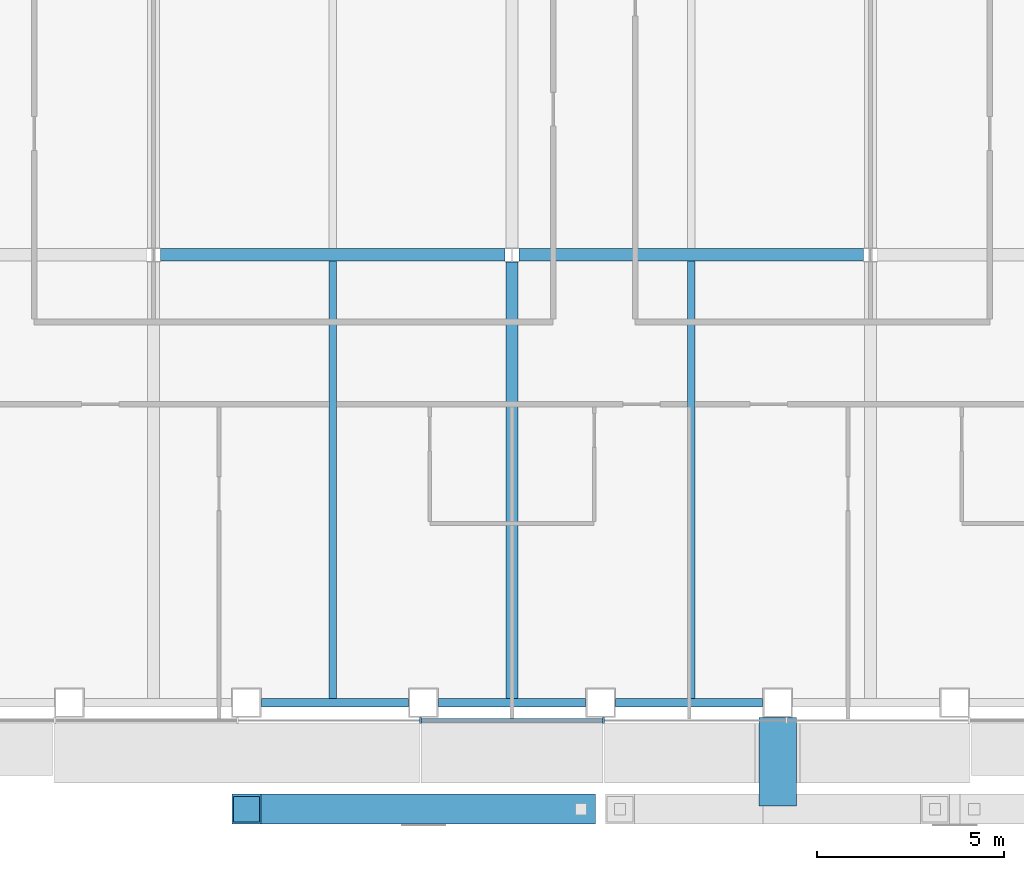
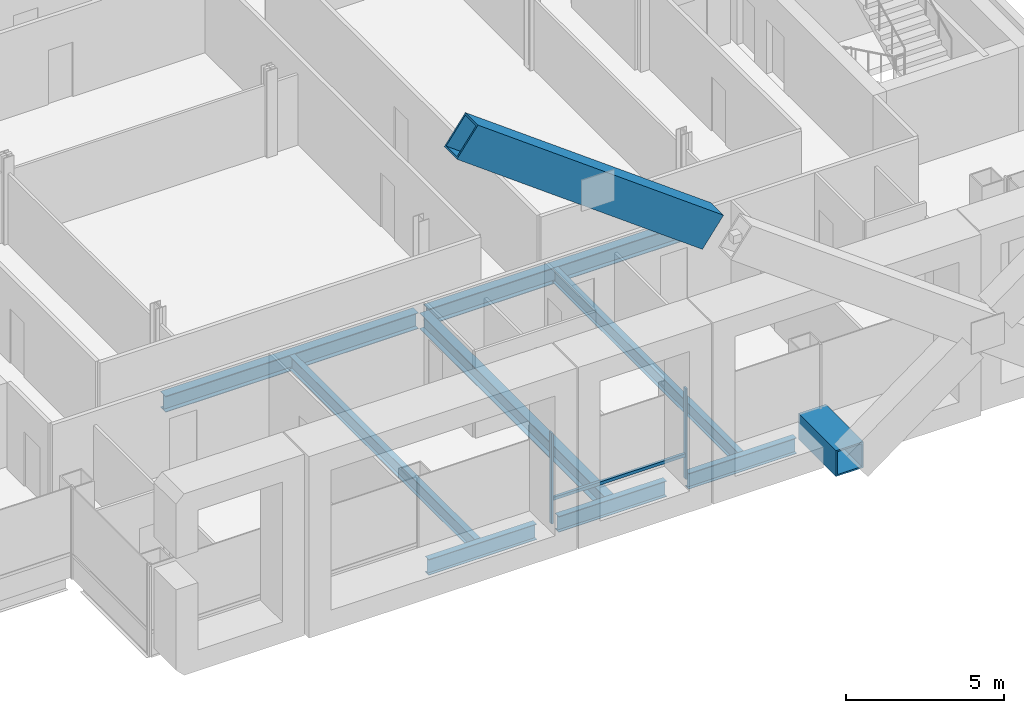
# One storey, part 4 of 22: 9 beams, 4 members, 1 element without a shape of its own.
"""IFC4 building model written with IfcOpenShell, lengths in metres."""

from ifc_helpers import new_model, si_unit, direction, frame, origin, origin_2d, place, context, subcontext, project, spatial, rectangle, hollow_rectangle, i_section, extrude, material, material_profile, profile_set, type_object, element, aggregate, save


model = new_model("IFC4")

# Units and contexts
model_context = context("Model", 3, precision=1e-05, world=origin(), true_north=direction((0.0, 1.0)))
body_context = subcontext(model_context, "Body", "Model", "MODEL_VIEW")
ifc_project = project(units=[si_unit("LENGTHUNIT", "METRE"), si_unit("AREAUNIT", "SQUARE_METRE"), si_unit("VOLUMEUNIT", "CUBIC_METRE"), si_unit("PLANEANGLEUNIT", "RADIAN"), si_unit("MASSUNIT", "GRAM", prefix="KILO")], contexts=[model_context])

# Site, building, storey
site_placement = place(None, origin())
site = spatial("IfcSite", under=ifc_project, at=site_placement, CompositionType="ELEMENT")
building_placement = place(site_placement, origin())
building = spatial("IfcBuilding", under=site, at=building_placement, Name="Cobrizo Arcos Hotel Tower", CompositionType="ELEMENT")
storey_placement = place(building_placement, frame((0.0, 0.0, 169.0)))
storey = spatial("IfcBuildingStorey", under=building, at=storey_placement, Name="L43", CompositionType="ELEMENT", Elevation=169.0)

# Beam
ifc_material_1 = material(Name="Steel ASTM A572 Grade 50", Category="steel")
ifc_material_profile_1 = material_profile(ifc_material_1, hollow_rectangle(XDim=1.0, YDim=1.0, WallThickness=0.06005859375, at=origin_2d()), Name="BOX 1000X1000X60")
ifc_profile_set_1 = profile_set([ifc_material_profile_1], Name="Steel ASTM A572 Grade 50")
beam_type_1 = type_object("IfcBeamType", Name="BOX 1000X1000X60 brace connector strut", PredefinedType="BEAM", material=ifc_profile_set_1)
beam_1_placement = place(storey_placement, frame((7.1142578125, -21.989990234375, 0.5), z_axis=(0.0, -1.0, 0.0), x_axis=(1.0, 0.0, 0.0)))
element("IfcBeam", 1, at=beam_1_placement, inside=storey, type_object=beam_type_1, Name="Perimeter brace stub BS1, zone Z3, south face, offset +7.11 m, L43", PredefinedType="BEAM", context=body_context, shape_type="SweptSolid", body=[
    extrude(hollow_rectangle(XDim=1.0, YDim=1.0, WallThickness=0.06005859375, at=origin_2d()), origin(), (0.0, 0.0, 1.0), 2.380126953125),
])

# Member
ifc_material_profile_2 = material_profile(ifc_material_1, hollow_rectangle(XDim=0.800048828125, YDim=1.300048828125, WallThickness=0.06005859375, at=origin_2d()), Name="BOX 800X1300X60")
ifc_profile_set_2 = profile_set([ifc_material_profile_2], Name="Steel ASTM A572 Grade 50")
member_type_1 = type_object("IfcMemberType", Name="BOX 800X1300X60 perimeter brace", PredefinedType="BRACE", material=ifc_profile_set_2)
member_1_placement = place(storey_placement, frame((1.84814453125, -24.449951171875, 11.385986328125), z_axis=(-0.804620954099, 0.0, 0.593788784186), x_axis=(0.0, -1.0, 0.0)))
element("IfcMember", 2, at=member_1_placement, inside=storey, type_object=member_type_1, Name="Perimeter brace PBR3, zone Z3, south face, no. 13b", PredefinedType="BRACE", context=body_context, shape_type="SweptSolid", body=[
    extrude(hollow_rectangle(XDim=0.800048828125, YDim=1.300048828125, WallThickness=0.06005859375, at=origin_2d()), origin(), (0.0, 0.0, 1.0), 11.138671875),
])

# Curtain wall, members
ifc_material_2 = material(Name="Aluminium 6063-T6 anodised bronze", Category="aluminium")
curtain_wall_type = type_object("IfcCurtainWallType", Name="CW-A guest facade", PredefinedType="NOTDEFINED", material=ifc_material_2)
curtain_wall_placement = place(storey_placement, origin())
curtain_wall = element("IfcCurtainWall", 3, at=curtain_wall_placement, inside=storey, type_object=curtain_wall_type, Name="CW-A L43 S face", PredefinedType="NOTDEFINED")
ifc_material_profile_3 = material_profile(ifc_material_2, rectangle(XDim=0.14990234375, YDim=0.06005859375, at=origin_2d()), Name="CW-A mullion 150x60")
ifc_profile_set_3 = profile_set([ifc_material_profile_3], Name="Aluminium 6063-T6 anodised bronze")
member_type_2 = type_object("IfcMemberType", Name="CW-A mullion 150x60", PredefinedType="MULLION", material=ifc_profile_set_3)
member_2_placement = place(storey_placement, frame((-2.449951171875, -22.074951171875, 0.0), z_axis=(0.0, 0.0, 1.0), x_axis=(0.0, -1.0, 0.0)))
member_2 = element("IfcMember", 4, at=member_2_placement, type_object=member_type_2, Name="CW-A mullion 4", PredefinedType="MULLION", context=body_context, shape_type="SweptSolid", body=[
    extrude(rectangle(XDim=0.14990234375, YDim=0.06005859375, at=origin_2d()), origin(), (0.0, 0.0, 1.0), 3.5),
])
member_3_placement = place(storey_placement, frame((2.449951171875, -22.074951171875, 0.0), z_axis=(0.0, 0.0, 1.0), x_axis=(0.0, -1.0, 0.0)))
member_3 = element("IfcMember", 5, at=member_3_placement, type_object=member_type_2, Name="CW-A mullion 5", PredefinedType="MULLION", context=body_context, shape_type="SweptSolid", body=[
    extrude(rectangle(XDim=0.14990234375, YDim=0.06005859375, at=origin_2d()), origin(), (0.0, 0.0, 1.0), 3.5),
])
ifc_material_profile_4 = material_profile(ifc_material_2, rectangle(XDim=0.10009765625, YDim=0.1201171875, at=origin_2d()), Name="CW-A transom 120x100")
ifc_profile_set_4 = profile_set([ifc_material_profile_4], Name="Aluminium 6063-T6 anodised bronze")
member_type_3 = type_object("IfcMemberType", Name="CW-A transom 120x100", PredefinedType="USERDEFINED", material=ifc_profile_set_4)
member_4_placement = place(storey_placement, frame((-2.419921875, -22.074951171875, 0.929931640625), z_axis=(1.0, 0.0, 0.0), x_axis=(0.0, 1.0, 0.0)))
member_4 = element("IfcMember", 6, at=member_4_placement, type_object=member_type_3, Name="CW-A transom 1519", ObjectType="TRANSOM", PredefinedType="USERDEFINED", context=body_context, shape_type="SweptSolid", body=[
    extrude(rectangle(XDim=0.10009765625, YDim=0.1201171875, at=origin_2d()), origin(), (0.0, 0.0, 1.0), 4.83984375),
])
aggregate(curtain_wall, [member_2, member_3, member_4])

# Beams
ifc_material_3 = material(Name="Steel ASTM A992 Grade 50", Category="steel")
ifc_material_profile_5 = material_profile(ifc_material_3, i_section(OverallWidth=0.209228515625, OverallDepth=0.533447265625, WebThickness=0.01025390625, FlangeThickness=0.015625, at=origin_2d()), Name="W21X62")
ifc_profile_set_5 = profile_set([ifc_material_profile_5], Name="Steel ASTM A992 Grade 50")
beam_type_2 = type_object("IfcBeamType", Name="W21X62 joist", PredefinedType="JOIST", material=ifc_profile_set_5)
for number, where, z_axis, x_axis, name in (
    (7, (-4.800048828125, -21.510009765625, -0.416748046875), (0.0, 1.0, 0.0), (-1.0, 0.0, 0.0), "Floor joist J1, L43, no. 007"),
    (8, (4.800048828125, -21.510009765625, -0.416748046875), (0.0, 1.0, 0.0), (-1.0, 0.0, 0.0), "Floor joist J1, L43, no. 011"),
):
    element("IfcBeam", number, at=place(storey_placement, frame(where, z_axis=z_axis, x_axis=x_axis)), inside=storey, type_object=beam_type_2, Name=name, PredefinedType="JOIST", context=body_context, shape_type="SweptSolid", body=[
        extrude(i_section(OverallWidth=0.209228515625, OverallDepth=0.533447265625, WebThickness=0.01025390625, FlangeThickness=0.015625, at=origin_2d()), origin(), (0.0, 0.0, 1.0), 11.74609375),
    ])
ifc_material_profile_6 = material_profile(ifc_material_3, i_section(OverallWidth=0.32763671875, OverallDepth=0.622314453125, WebThickness=0.015380859375, FlangeThickness=0.0244140625, at=origin_2d()), Name="W24X131")
ifc_profile_set_6 = profile_set([ifc_material_profile_6], Name="Steel ASTM A992 Grade 50")
beam_type_3 = type_object("IfcBeamType", Name="W24X131 girder", PredefinedType="BEAM", material=ifc_profile_set_6)
for number, where, z_axis, x_axis, name in (
    (9, (-9.413330078125, -9.60009765625, -0.461181640625), (1.0, 0.0, 0.0), (0.0, 1.0, 0.0), "Floor girder G1, L43, no. 002"),
    (10, (0.186767578125, -9.60009765625, -0.461181640625), (1.0, 0.0, 0.0), (0.0, 1.0, 0.0), "Floor girder G1, L43, no. 003"),
):
    element("IfcBeam", number, at=place(storey_placement, frame(where, z_axis=z_axis, x_axis=x_axis)), inside=storey, type_object=beam_type_3, Name=name, PredefinedType="BEAM", context=body_context, shape_type="SweptSolid", body=[
        extrude(i_section(OverallWidth=0.32763671875, OverallDepth=0.622314453125, WebThickness=0.015380859375, FlangeThickness=0.0244140625, at=origin_2d()), origin(), (0.0, 0.0, 1.0), 9.2265625),
    ])
beam_2_placement = place(storey_placement, frame((0.0, -21.510009765625, -0.461181640625), z_axis=(0.0, 1.0, 0.0), x_axis=(-1.0, 0.0, 0.0)))
element("IfcBeam", 11, at=beam_2_placement, inside=storey, type_object=beam_type_3, Name="Floor girder G1, L43, no. 017", PredefinedType="BEAM", context=body_context, shape_type="SweptSolid", body=[
    extrude(i_section(OverallWidth=0.32763671875, OverallDepth=0.622314453125, WebThickness=0.015380859375, FlangeThickness=0.0244140625, at=origin_2d()), origin(), (0.0, 0.0, 1.0), 11.723388671875),
])
ifc_material_profile_7 = material_profile(ifc_material_3, i_section(OverallWidth=0.228271484375, OverallDepth=0.607177734375, WebThickness=0.01123046875, FlangeThickness=0.017333984375, at=origin_2d()), Name="W24X76")
ifc_profile_set_7 = profile_set([ifc_material_profile_7], Name="Steel ASTM A992 Grade 50")
beam_type_4 = type_object("IfcBeamType", Name="W24X76 spandrel", PredefinedType="SPANDREL", material=ifc_profile_set_7)
beam_3_placement = place(storey_placement, frame((-6.714111328125, -21.60009765625, -0.45361328125), z_axis=(1.0, 0.0, 0.0), x_axis=(0.0, 1.0, 0.0)))
element("IfcBeam", 12, at=beam_3_placement, inside=storey, type_object=beam_type_4, Name="Spandrel beam W24X76, L43, no. 003", PredefinedType="SPANDREL", context=body_context, shape_type="SweptSolid", body=[
    extrude(i_section(OverallWidth=0.228271484375, OverallDepth=0.607177734375, WebThickness=0.01123046875, FlangeThickness=0.017333984375, at=origin_2d()), origin(), (0.0, 0.0, 1.0), 3.943115234375),
])
beam_4_placement = place(storey_placement, frame((-1.970947265625, -21.60009765625, -0.45361328125), z_axis=(1.0, 0.0, 0.0), x_axis=(0.0, 1.0, 0.0)))
element("IfcBeam", 13, at=beam_4_placement, inside=storey, type_object=beam_type_4, Name="Spandrel beam W24X76, L43, no. 004", PredefinedType="SPANDREL", context=body_context, shape_type="SweptSolid", body=[
    extrude(i_section(OverallWidth=0.228271484375, OverallDepth=0.607177734375, WebThickness=0.01123046875, FlangeThickness=0.017333984375, at=origin_2d()), origin(), (0.0, 0.0, 1.0), 3.94189453125),
])
beam_5_placement = place(storey_placement, frame((2.77099609375, -21.60009765625, -0.45361328125), z_axis=(1.0, 0.0, 0.0), x_axis=(0.0, 1.0, 0.0)))
element("IfcBeam", 14, at=beam_5_placement, inside=storey, type_object=beam_type_4, Name="Spandrel beam W24X76, L43, no. 005", PredefinedType="SPANDREL", context=body_context, shape_type="SweptSolid", body=[
    extrude(i_section(OverallWidth=0.228271484375, OverallDepth=0.607177734375, WebThickness=0.01123046875, FlangeThickness=0.017333984375, at=origin_2d()), origin(), (0.0, 0.0, 1.0), 3.943115234375),
])

save(model, "model.ifc")
